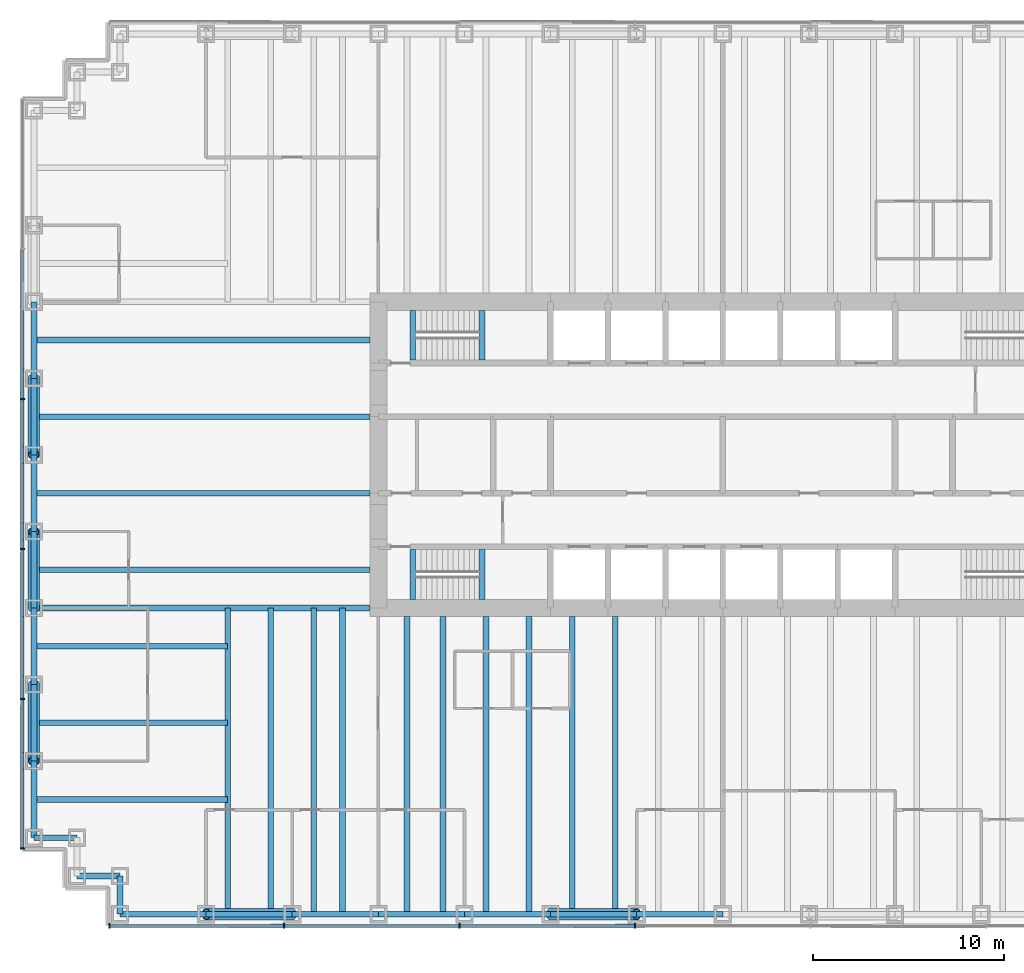
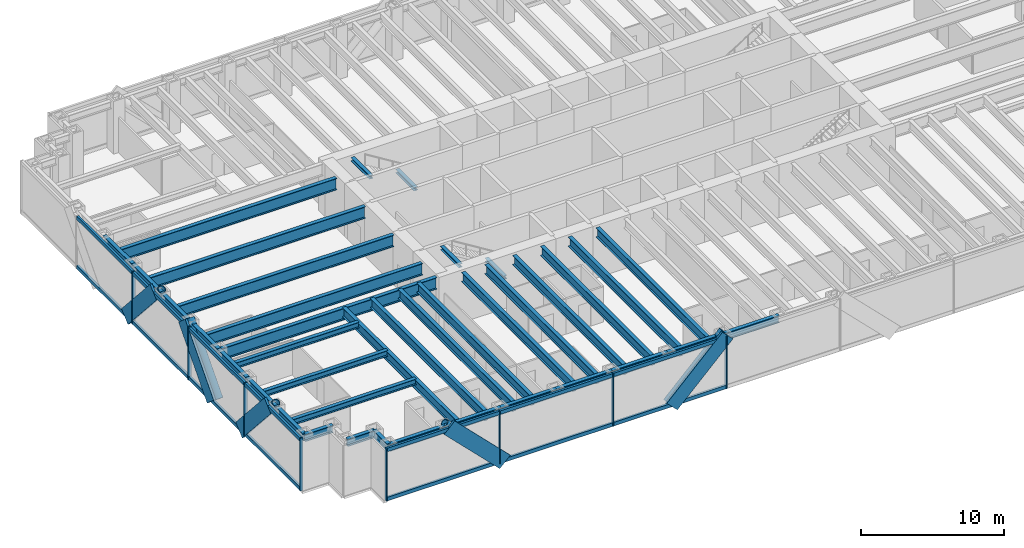
# One storey, part 2 of 13: 39 beams, 32 members, 2 elements without a shape of their own.
"""IFC4 building model written with IfcOpenShell, lengths in metres."""

from ifc_helpers import new_model, si_unit, direction, frame, origin, origin_2d, place, context, subcontext, project, spatial, rectangle, hollow_circle, i_section, extrude, material, material_profile, profile_set, type_object, element, aggregate, save


model = new_model("IFC4")

# Units and contexts
model_context = context("Model", 3, precision=1e-05, world=origin(), true_north=direction((0.0, 1.0)))
body_context = subcontext(model_context, "Body", "Model", "MODEL_VIEW")
ifc_project = project(units=[si_unit("LENGTHUNIT", "METRE"), si_unit("AREAUNIT", "SQUARE_METRE"), si_unit("VOLUMEUNIT", "CUBIC_METRE"), si_unit("PLANEANGLEUNIT", "RADIAN"), si_unit("MASSUNIT", "GRAM", prefix="KILO")], contexts=[model_context])

# Site, building, storey
site_placement = place(None, origin())
site = spatial("IfcSite", under=ifc_project, at=site_placement, CompositionType="ELEMENT")
building_placement = place(site_placement, origin())
building = spatial("IfcBuilding", under=site, at=building_placement, Name="Rheinbord Bourse Tower", CompositionType="ELEMENT")
storey_placement = place(building_placement, frame((0.0, 0.0, 54.5)))
storey = spatial("IfcBuildingStorey", under=building, at=storey_placement, Name="L11", CompositionType="ELEMENT", Elevation=54.5)

# Curtain wall, members
ifc_material_1 = material(Name="Dark glass and black aluminium", Category="aluminium")
curtain_wall_type = type_object("IfcCurtainWallType", Name="CW1 DARK GLASS CURTAIN WALL", PredefinedType="USERDEFINED", material=ifc_material_1)
curtain_wall_1_placement = place(storey_placement, origin())
curtain_wall_1 = element("IfcCurtainWall", 1, at=curtain_wall_1_placement, inside=storey, type_object=curtain_wall_type, Name="Curtain wall CW1 S L11", ObjectType="UNITISED CURTAIN WALL", PredefinedType="USERDEFINED")
ifc_material_2 = material(Name="Black anodised aluminium", Category="aluminium")
ifc_material_profile_1 = material_profile(ifc_material_2, rectangle(XDim=0.179931640625, YDim=1.2099609375, at=origin_2d()), Name="CW1 DIAGONAL MULLION 1210x180")
ifc_profile_set_1 = profile_set([ifc_material_profile_1], Name="Black anodised aluminium")
member_type_1 = type_object("IfcMemberType", Name="CW1 BLACK DIAGONAL MULLION", PredefinedType="USERDEFINED", material=ifc_profile_set_1)
member_1_placement = place(storey_placement, frame((13.5, -0.60009765625, 0.0), z_axis=(-0.707106781187, 0.0, 0.707106781187), x_axis=(0.0, -1.0, 0.0)))
member_1 = element("IfcMember", 2, at=member_1_placement, type_object=member_type_1, Name="CW1 diagonal mullion b", ObjectType="DIAGONAL MULLION", PredefinedType="USERDEFINED", context=body_context, shape_type="SweptSolid", body=[
    extrude(rectangle(XDim=0.179931640625, YDim=1.2099609375, at=origin_2d()), origin(), (0.0, 0.0, 1.0), 6.364013671875),
])
member_2_placement = place(storey_placement, frame((27.0, -0.60009765625, 0.0), z_axis=(0.707106781187, 0.0, 0.707106781187), x_axis=(0.0, 1.0, 0.0)))
member_2 = element("IfcMember", 3, at=member_2_placement, type_object=member_type_1, Name="CW1 diagonal mullion d", ObjectType="DIAGONAL MULLION", PredefinedType="USERDEFINED", context=body_context, shape_type="SweptSolid", body=[
    extrude(rectangle(XDim=0.179931640625, YDim=1.2099609375, at=origin_2d()), origin(), (0.0, 0.0, 1.0), 6.364013671875),
])

curtain_wall_2_placement = place(storey_placement, origin())
curtain_wall_2 = element("IfcCurtainWall", 4, at=curtain_wall_2_placement, inside=storey, type_object=curtain_wall_type, Name="Curtain wall CW1 W L11", ObjectType="UNITISED CURTAIN WALL", PredefinedType="USERDEFINED")
member_3_placement = place(storey_placement, frame((-0.60009765625, 28.0, 0.0), z_axis=(0.0, -0.66436383883, 0.747409318684), x_axis=(1.0, 0.0, 0.0)))
member_3 = element("IfcMember", 5, at=member_3_placement, type_object=member_type_1, Name="CW1 diagonal mullion a", ObjectType="DIAGONAL MULLION", PredefinedType="USERDEFINED", context=body_context, shape_type="SweptSolid", body=[
    extrude(rectangle(XDim=0.179931640625, YDim=1.2099609375, at=origin_2d()), origin(), (0.0, 0.0, 1.0), 6.020751953125),
])
member_4_placement = place(storey_placement, frame((-0.60009765625, 16.0, 0.0), z_axis=(0.0, 0.66436383883, 0.747409318684), x_axis=(-1.0, 0.0, 0.0)))
member_4 = element("IfcMember", 6, at=member_4_placement, type_object=member_type_1, Name="CW1 diagonal mullion b", ObjectType="DIAGONAL MULLION", PredefinedType="USERDEFINED", context=body_context, shape_type="SweptSolid", body=[
    extrude(rectangle(XDim=0.179931640625, YDim=1.2099609375, at=origin_2d()), origin(), (0.0, 0.0, 1.0), 6.020751953125),
])
member_5_placement = place(storey_placement, frame((-0.60009765625, 12.0, 0.0), z_axis=(0.0, -0.66436383883, 0.747409318684), x_axis=(1.0, 0.0, 0.0)))
member_5 = element("IfcMember", 7, at=member_5_placement, type_object=member_type_1, Name="CW1 diagonal mullion c", ObjectType="DIAGONAL MULLION", PredefinedType="USERDEFINED", context=body_context, shape_type="SweptSolid", body=[
    extrude(rectangle(XDim=0.179931640625, YDim=1.2099609375, at=origin_2d()), origin(), (0.0, 0.0, 1.0), 6.020751953125),
])

# Member
ifc_material_3 = material(Name="Black anodised aluminium", Category="aluminium")
ifc_material_profile_2 = material_profile(ifc_material_3, rectangle(XDim=0.25, YDim=0.080078125, at=origin_2d()), Name="CW1 MULLION 80x250")
ifc_profile_set_2 = profile_set([ifc_material_profile_2], Name="Black anodised aluminium")
member_type_2 = type_object("IfcMemberType", Name="CW1 BLACK MULLION", PredefinedType="MULLION", material=ifc_profile_set_2)
member_6_placement = place(storey_placement, frame((3.93994140625, -0.60009765625, 0.0), z_axis=(0.0, 0.0, 1.0), x_axis=(0.0, 1.0, 0.0)))
member_6 = element("IfcMember", 8, at=member_6_placement, type_object=member_type_2, Name="CW1 mullion 1", PredefinedType="MULLION", context=body_context, shape_type="SweptSolid", body=[
    extrude(rectangle(XDim=0.25, YDim=0.080078125, at=origin_2d()), origin(), (0.0, 0.0, 1.0), 4.5),
])

member_7_placement = place(storey_placement, frame((13.071533203125, -0.60009765625, 0.0), z_axis=(0.0, 0.0, 1.0), x_axis=(0.0, 1.0, 0.0)))
member_7 = element("IfcMember", 9, at=member_7_placement, type_object=member_type_2, Name="CW1 mullion 2", PredefinedType="MULLION", context=body_context, shape_type="SweptSolid", body=[
    extrude(rectangle(XDim=0.25, YDim=0.080078125, at=origin_2d()), origin(), (0.0, 0.0, 1.0), 4.5),
])

member_8_placement = place(storey_placement, frame((22.242919921875, -0.60009765625, 0.0), z_axis=(0.0, 0.0, 1.0), x_axis=(0.0, 1.0, 0.0)))
member_8 = element("IfcMember", 10, at=member_8_placement, type_object=member_type_2, Name="CW1 mullion 3", PredefinedType="MULLION", context=body_context, shape_type="SweptSolid", body=[
    extrude(rectangle(XDim=0.25, YDim=0.080078125, at=origin_2d()), origin(), (0.0, 0.0, 1.0), 4.5),
])

member_9_placement = place(storey_placement, frame((31.414306640625, -0.60009765625, 0.0), z_axis=(0.0, 0.0, 1.0), x_axis=(0.0, 1.0, 0.0)))
member_9 = element("IfcMember", 11, at=member_9_placement, type_object=member_type_2, Name="CW1 mullion 4", PredefinedType="MULLION", context=body_context, shape_type="SweptSolid", body=[
    extrude(rectangle(XDim=0.25, YDim=0.080078125, at=origin_2d()), origin(), (0.0, 0.0, 1.0), 4.5),
])

member_10_placement = place(storey_placement, frame((-0.60009765625, 26.919921875, 0.0), z_axis=(0.0, 0.0, 1.0), x_axis=(1.0, 0.0, 0.0)))
member_10 = element("IfcMember", 12, at=member_10_placement, type_object=member_type_2, Name="CW1 mullion 3", PredefinedType="MULLION", context=body_context, shape_type="SweptSolid", body=[
    extrude(rectangle(XDim=0.25, YDim=0.080078125, at=origin_2d()), origin(), (0.0, 0.0, 1.0), 4.5),
])

member_11_placement = place(storey_placement, frame((-0.60009765625, 19.080078125, 0.0), z_axis=(0.0, 0.0, 1.0), x_axis=(1.0, 0.0, 0.0)))
member_11 = element("IfcMember", 13, at=member_11_placement, type_object=member_type_2, Name="CW1 mullion 4", PredefinedType="MULLION", context=body_context, shape_type="SweptSolid", body=[
    extrude(rectangle(XDim=0.25, YDim=0.080078125, at=origin_2d()), origin(), (0.0, 0.0, 1.0), 4.5),
])

member_12_placement = place(storey_placement, frame((-0.60009765625, 11.239990234375, 0.0), z_axis=(0.0, 0.0, 1.0), x_axis=(1.0, 0.0, 0.0)))
member_12 = element("IfcMember", 14, at=member_12_placement, type_object=member_type_2, Name="CW1 mullion 5", PredefinedType="MULLION", context=body_context, shape_type="SweptSolid", body=[
    extrude(rectangle(XDim=0.25, YDim=0.080078125, at=origin_2d()), origin(), (0.0, 0.0, 1.0), 4.5),
])

member_13_placement = place(storey_placement, frame((-0.60009765625, 3.43994140625, 0.0), z_axis=(0.0, 0.0, 1.0), x_axis=(1.0, 0.0, 0.0)))
member_13 = element("IfcMember", 15, at=member_13_placement, type_object=member_type_2, Name="CW1 mullion 6", PredefinedType="MULLION", context=body_context, shape_type="SweptSolid", body=[
    extrude(rectangle(XDim=0.25, YDim=0.080078125, at=origin_2d()), origin(), (0.0, 0.0, 1.0), 4.5),
])

ifc_material_4 = material(Name="Black anodised aluminium", Category="aluminium")
ifc_material_profile_3 = material_profile(ifc_material_4, rectangle(XDim=0.179931640625, YDim=0.300048828125, at=origin_2d()), Name="CW1 TRANSOM 300x180")
ifc_profile_set_3 = profile_set([ifc_material_profile_3], Name="Black anodised aluminium")
member_type_3 = type_object("IfcMemberType", Name="CW1 BLACK TRANSOM", PredefinedType="USERDEFINED", material=ifc_profile_set_3)
member_14_placement = place(storey_placement, frame((3.97998046875, -0.60009765625, 0.14990234375), z_axis=(1.0, 0.0, 0.0), x_axis=(0.0, 1.0, 0.0)))
member_14 = element("IfcMember", 16, at=member_14_placement, type_object=member_type_3, Name="CW1 transom 1.1", ObjectType="TRANSOM", PredefinedType="USERDEFINED", context=body_context, shape_type="SweptSolid", body=[
    extrude(rectangle(XDim=0.179931640625, YDim=0.300048828125, at=origin_2d()), origin(), (0.0, 0.0, 1.0), 9.051513671875),
])

member_15_placement = place(storey_placement, frame((3.97998046875, -0.60009765625, 4.35009765625), z_axis=(1.0, 0.0, 0.0), x_axis=(0.0, 1.0, 0.0)))
member_15 = element("IfcMember", 17, at=member_15_placement, type_object=member_type_3, Name="CW1 transom 1.2", ObjectType="TRANSOM", PredefinedType="USERDEFINED", context=body_context, shape_type="SweptSolid", body=[
    extrude(rectangle(XDim=0.179931640625, YDim=0.300048828125, at=origin_2d()), origin(), (0.0, 0.0, 1.0), 9.051513671875),
])

member_16_placement = place(storey_placement, frame((13.111328125, -0.60009765625, 0.14990234375), z_axis=(1.0, 0.0, 0.0), x_axis=(0.0, 1.0, 0.0)))
member_16 = element("IfcMember", 18, at=member_16_placement, type_object=member_type_3, Name="CW1 transom 2.1", ObjectType="TRANSOM", PredefinedType="USERDEFINED", context=body_context, shape_type="SweptSolid", body=[
    extrude(rectangle(XDim=0.179931640625, YDim=0.300048828125, at=origin_2d()), origin(), (0.0, 0.0, 1.0), 9.091552734375),
])

member_17_placement = place(storey_placement, frame((13.111328125, -0.60009765625, 4.35009765625), z_axis=(1.0, 0.0, 0.0), x_axis=(0.0, 1.0, 0.0)))
member_17 = element("IfcMember", 19, at=member_17_placement, type_object=member_type_3, Name="CW1 transom 2.2", ObjectType="TRANSOM", PredefinedType="USERDEFINED", context=body_context, shape_type="SweptSolid", body=[
    extrude(rectangle(XDim=0.179931640625, YDim=0.300048828125, at=origin_2d()), origin(), (0.0, 0.0, 1.0), 9.091552734375),
])

member_18_placement = place(storey_placement, frame((22.282958984375, -0.60009765625, 0.14990234375), z_axis=(1.0, 0.0, 0.0), x_axis=(0.0, 1.0, 0.0)))
member_18 = element("IfcMember", 20, at=member_18_placement, type_object=member_type_3, Name="CW1 transom 3.1", ObjectType="TRANSOM", PredefinedType="USERDEFINED", context=body_context, shape_type="SweptSolid", body=[
    extrude(rectangle(XDim=0.179931640625, YDim=0.300048828125, at=origin_2d()), origin(), (0.0, 0.0, 1.0), 9.09130859375),
])

member_19_placement = place(storey_placement, frame((22.282958984375, -0.60009765625, 4.35009765625), z_axis=(1.0, 0.0, 0.0), x_axis=(0.0, 1.0, 0.0)))
member_19 = element("IfcMember", 21, at=member_19_placement, type_object=member_type_3, Name="CW1 transom 3.2", ObjectType="TRANSOM", PredefinedType="USERDEFINED", context=body_context, shape_type="SweptSolid", body=[
    extrude(rectangle(XDim=0.179931640625, YDim=0.300048828125, at=origin_2d()), origin(), (0.0, 0.0, 1.0), 9.09130859375),
])

aggregate(curtain_wall_1, [member_6, member_7, member_8, member_9, member_14, member_15, member_16, member_17, member_18, member_19, member_1, member_2])

member_20_placement = place(storey_placement, frame((-0.60009765625, 34.719970703125, 0.14990234375), z_axis=(0.0, -1.0, 0.0), x_axis=(1.0, 0.0, 0.0)))
member_20 = element("IfcMember", 22, at=member_20_placement, type_object=member_type_3, Name="CW1 transom 2.1", ObjectType="TRANSOM", PredefinedType="USERDEFINED", context=body_context, shape_type="SweptSolid", body=[
    extrude(rectangle(XDim=0.179931640625, YDim=0.300048828125, at=origin_2d()), origin(), (0.0, 0.0, 1.0), 7.760009765625),
])

member_21_placement = place(storey_placement, frame((-0.60009765625, 34.719970703125, 4.35009765625), z_axis=(0.0, -1.0, 0.0), x_axis=(1.0, 0.0, 0.0)))
member_21 = element("IfcMember", 23, at=member_21_placement, type_object=member_type_3, Name="CW1 transom 2.2", ObjectType="TRANSOM", PredefinedType="USERDEFINED", context=body_context, shape_type="SweptSolid", body=[
    extrude(rectangle(XDim=0.179931640625, YDim=0.300048828125, at=origin_2d()), origin(), (0.0, 0.0, 1.0), 7.760009765625),
])

member_22_placement = place(storey_placement, frame((-0.60009765625, 26.8798828125, 0.14990234375), z_axis=(0.0, -1.0, 0.0), x_axis=(1.0, 0.0, 0.0)))
member_22 = element("IfcMember", 24, at=member_22_placement, type_object=member_type_3, Name="CW1 transom 3.1", ObjectType="TRANSOM", PredefinedType="USERDEFINED", context=body_context, shape_type="SweptSolid", body=[
    extrude(rectangle(XDim=0.179931640625, YDim=0.300048828125, at=origin_2d()), origin(), (0.0, 0.0, 1.0), 7.759765625),
])

member_23_placement = place(storey_placement, frame((-0.60009765625, 26.8798828125, 4.35009765625), z_axis=(0.0, -1.0, 0.0), x_axis=(1.0, 0.0, 0.0)))
member_23 = element("IfcMember", 25, at=member_23_placement, type_object=member_type_3, Name="CW1 transom 3.2", ObjectType="TRANSOM", PredefinedType="USERDEFINED", context=body_context, shape_type="SweptSolid", body=[
    extrude(rectangle(XDim=0.179931640625, YDim=0.300048828125, at=origin_2d()), origin(), (0.0, 0.0, 1.0), 7.759765625),
])

member_24_placement = place(storey_placement, frame((-0.60009765625, 19.0400390625, 0.14990234375), z_axis=(0.0, -1.0, 0.0), x_axis=(1.0, 0.0, 0.0)))
member_24 = element("IfcMember", 26, at=member_24_placement, type_object=member_type_3, Name="CW1 transom 4.1", ObjectType="TRANSOM", PredefinedType="USERDEFINED", context=body_context, shape_type="SweptSolid", body=[
    extrude(rectangle(XDim=0.179931640625, YDim=0.300048828125, at=origin_2d()), origin(), (0.0, 0.0, 1.0), 7.760009765625),
])

member_25_placement = place(storey_placement, frame((-0.60009765625, 19.0400390625, 4.35009765625), z_axis=(0.0, -1.0, 0.0), x_axis=(1.0, 0.0, 0.0)))
member_25 = element("IfcMember", 27, at=member_25_placement, type_object=member_type_3, Name="CW1 transom 4.2", ObjectType="TRANSOM", PredefinedType="USERDEFINED", context=body_context, shape_type="SweptSolid", body=[
    extrude(rectangle(XDim=0.179931640625, YDim=0.300048828125, at=origin_2d()), origin(), (0.0, 0.0, 1.0), 7.760009765625),
])

member_26_placement = place(storey_placement, frame((-0.60009765625, 11.199951171875, 0.14990234375), z_axis=(0.0, -1.0, 0.0), x_axis=(1.0, 0.0, 0.0)))
member_26 = element("IfcMember", 28, at=member_26_placement, type_object=member_type_3, Name="CW1 transom 5.1", ObjectType="TRANSOM", PredefinedType="USERDEFINED", context=body_context, shape_type="SweptSolid", body=[
    extrude(rectangle(XDim=0.179931640625, YDim=0.300048828125, at=origin_2d()), origin(), (0.0, 0.0, 1.0), 7.719970703125),
])

member_27_placement = place(storey_placement, frame((-0.60009765625, 11.199951171875, 4.35009765625), z_axis=(0.0, -1.0, 0.0), x_axis=(1.0, 0.0, 0.0)))
member_27 = element("IfcMember", 29, at=member_27_placement, type_object=member_type_3, Name="CW1 transom 5.2", ObjectType="TRANSOM", PredefinedType="USERDEFINED", context=body_context, shape_type="SweptSolid", body=[
    extrude(rectangle(XDim=0.179931640625, YDim=0.300048828125, at=origin_2d()), origin(), (0.0, 0.0, 1.0), 7.719970703125),
])

aggregate(curtain_wall_2, [member_10, member_11, member_12, member_13, member_20, member_21, member_22, member_23, member_24, member_25, member_26, member_27, member_3, member_4, member_5])

# Beams
ifc_material_5 = material(Name="Steel S460", Category="steel")
ifc_material_profile_4 = material_profile(ifc_material_5, i_section(OverallWidth=0.302001953125, OverallDepth=1.008056640625, WebThickness=0.02099609375, FlangeThickness=0.0400390625, at=origin_2d()), Name="HEM 1000")
ifc_profile_set_4 = profile_set([ifc_material_profile_4], Name="Steel S460")
beam_type_1 = type_object("IfcBeamType", Name="END BEAM HEM 1000", PredefinedType="BEAM", material=ifc_profile_set_4)
for number, where, z_axis, x_axis, name in (
    (30, (0.0, 18.0, 3.81591796875), (1.0, 0.0, 0.0), (0.0, 1.0, 0.0), "End beam west 18 L12"),
    (31, (0.0, 22.0, 3.81591796875), (1.0, 0.0, 0.0), (0.0, 1.0, 0.0), "End beam west 22 L12"),
    (32, (0.0, 26.0, 3.81591796875), (1.0, 0.0, 0.0), (0.0, 1.0, 0.0), "End beam west 26 L12"),
    (33, (0.0, 30.0, 3.81591796875), (1.0, 0.0, 0.0), (0.0, 1.0, 0.0), "End beam west 30 L12"),
):
    element("IfcBeam", number, at=place(storey_placement, frame(where, z_axis=z_axis, x_axis=x_axis)), inside=storey, type_object=beam_type_1, Name=name, PredefinedType="BEAM", context=body_context, shape_type="SweptSolid", body=[
        extrude(i_section(OverallWidth=0.302001953125, OverallDepth=1.008056640625, WebThickness=0.02099609375, FlangeThickness=0.0400390625, at=origin_2d()), origin(), (0.0, 0.0, 1.0), 17.550048828125),
    ])
ifc_material_6 = material(Name="Steel S460", Category="steel")
ifc_material_profile_5 = material_profile(ifc_material_6, i_section(OverallWidth=0.300048828125, OverallDepth=0.800048828125, WebThickness=0.017578125, FlangeThickness=0.032958984375, at=origin_2d()), Name="HEB 800")
ifc_profile_set_5 = profile_set([ifc_material_profile_5], Name="Steel S460")
beam_type_2 = type_object("IfcBeamType", Name="FLOOR BEAM HEB 800", PredefinedType="BEAM", material=ifc_profile_set_5)
for number, where, z_axis, x_axis, name in (
    (34, (10.125, 0.0, 3.919921875), (0.0, 1.0, 0.0), (-1.0, 0.0, 0.0), "Floor beam S-9a L12"),
    (35, (12.375, 0.0, 3.919921875), (0.0, 1.0, 0.0), (-1.0, 0.0, 0.0), "Floor beam S-9b L12"),
    (36, (14.625, 0.0, 3.919921875), (0.0, 1.0, 0.0), (-1.0, 0.0, 0.0), "Floor beam S-13.5a L12"),
    (37, (16.125, 0.0, 3.919921875), (0.0, 1.0, 0.0), (-1.0, 0.0, 0.0), "Floor beam S-13.5b L12"),
):
    element("IfcBeam", number, at=place(storey_placement, frame(where, z_axis=z_axis, x_axis=x_axis)), inside=storey, type_object=beam_type_2, Name=name, PredefinedType="BEAM", context=body_context, shape_type="SweptSolid", body=[
        extrude(i_section(OverallWidth=0.300048828125, OverallDepth=0.800048828125, WebThickness=0.017578125, FlangeThickness=0.032958984375, at=origin_2d()), origin(), (0.0, 0.0, 1.0), 16.0),
    ])
for number, where, z_axis, x_axis, name in (
    (38, (19.5, 0.0, 3.919921875), (0.0, 1.0, 0.0), (-1.0, 0.0, 0.0), "Floor beam S-18a L12"),
    (39, (21.375, 0.0, 3.919921875), (0.0, 1.0, 0.0), (-1.0, 0.0, 0.0), "Floor beam S-18b L12"),
    (40, (23.625, 0.0, 3.919921875), (0.0, 1.0, 0.0), (-1.0, 0.0, 0.0), "Floor beam S-22.5a L12"),
    (41, (25.875, 0.0, 3.919921875), (0.0, 1.0, 0.0), (-1.0, 0.0, 0.0), "Floor beam S-22.5b L12"),
    (42, (28.125, 0.0, 3.919921875), (0.0, 1.0, 0.0), (-1.0, 0.0, 0.0), "Floor beam S-27a L12"),
    (43, (30.375, 0.0, 3.919921875), (0.0, 1.0, 0.0), (-1.0, 0.0, 0.0), "Floor beam S-27b L12"),
):
    element("IfcBeam", number, at=place(storey_placement, frame(where, z_axis=z_axis, x_axis=x_axis)), inside=storey, type_object=beam_type_2, Name=name, PredefinedType="BEAM", context=body_context, shape_type="SweptSolid", body=[
        extrude(i_section(OverallWidth=0.300048828125, OverallDepth=0.800048828125, WebThickness=0.017578125, FlangeThickness=0.032958984375, at=origin_2d()), origin(), (0.0, 0.0, 1.0), 15.550048828125),
    ])
ifc_material_7 = material(Name="Steel S460", Category="steel")
ifc_material_profile_6 = material_profile(ifc_material_7, i_section(OverallWidth=0.302001953125, OverallDepth=1.008056640625, WebThickness=0.02099609375, FlangeThickness=0.0400390625, at=origin_2d()), Name="HEM 1000")
ifc_profile_set_6 = profile_set([ifc_material_profile_6], Name="Steel S460")
beam_type_3 = type_object("IfcBeamType", Name="GIRDER HEM 1000", PredefinedType="BEAM", material=ifc_profile_set_6)
beam_1_placement = place(storey_placement, frame((0.0, 16.0, 3.81591796875), z_axis=(1.0, 0.0, 0.0), x_axis=(0.0, 1.0, 0.0)))
element("IfcBeam", 44, at=beam_1_placement, inside=storey, type_object=beam_type_3, Name="Girder west 16 L12", PredefinedType="BEAM", context=body_context, shape_type="SweptSolid", body=[
    extrude(i_section(OverallWidth=0.302001953125, OverallDepth=1.008056640625, WebThickness=0.02099609375, FlangeThickness=0.0400390625, at=origin_2d()), origin(), (0.0, 0.0, 1.0), 17.550048828125),
])
ifc_material_8 = material(Name="Steel S460", Category="steel")
ifc_material_profile_7 = material_profile(ifc_material_8, i_section(OverallWidth=0.300048828125, OverallDepth=0.300048828125, WebThickness=0.010986328125, FlangeThickness=0.01904296875, at=origin_2d()), Name="HEB 300")
ifc_profile_set_7 = profile_set([ifc_material_profile_7], Name="Steel S460")
beam_type_4 = type_object("IfcBeamType", Name="LANDING TRIMMER HEB 300", PredefinedType="BEAM", material=ifc_profile_set_7)
for number, where, z_axis, x_axis, name in (
    (45, (23.409912109375, 16.449951171875, 1.89990234375), (0.0, 1.0, 0.0), (-1.0, 0.0, 0.0), "Landing trimmer ST1 L11"),
    (46, (19.800048828125, 16.449951171875, 4.169921875), (0.0, 1.0, 0.0), (-1.0, 0.0, 0.0), "Well trimmer ST1 under L12"),
    (47, (23.409912109375, 28.949951171875, 1.89990234375), (0.0, 1.0, 0.0), (-1.0, 0.0, 0.0), "Landing trimmer ST2 L11"),
    (48, (19.800048828125, 28.949951171875, 4.169921875), (0.0, 1.0, 0.0), (-1.0, 0.0, 0.0), "Well trimmer ST2 under L12"),
):
    element("IfcBeam", number, at=place(storey_placement, frame(where, z_axis=z_axis, x_axis=x_axis)), inside=storey, type_object=beam_type_4, Name=name, PredefinedType="BEAM", context=body_context, shape_type="SweptSolid", body=[
        extrude(i_section(OverallWidth=0.300048828125, OverallDepth=0.300048828125, WebThickness=0.010986328125, FlangeThickness=0.01904296875, at=origin_2d()), origin(), (0.0, 0.0, 1.0), 2.60009765625),
    ])

# Members
ifc_material_9 = material(Name="Steel S460", Category="steel")
ifc_material_profile_8 = material_profile(ifc_material_9, hollow_circle(Radius=0.304931640625, WallThickness=0.050048828125, at=origin_2d()), Name="CHS 610x50")
ifc_profile_set_8 = profile_set([ifc_material_profile_8], Name="Steel S460")
member_type_4 = type_object("IfcMemberType", Name="MEGABRACE CHS 610x50", PredefinedType="BRACE", material=ifc_profile_set_8)
for number, where, z_axis, x_axis, name in (
    (49, (13.5, 0.0, 0.0), (-0.707106781187, 0.0, 0.707106781187), (0.0, -1.0, 0.0), "Megabrace S face line b L11"),
    (50, (27.0, 0.0, 0.0), (0.707106781187, 0.0, 0.707106781187), (0.0, 1.0, 0.0), "Megabrace S face line d L11"),
):
    element("IfcMember", number, at=place(storey_placement, frame(where, z_axis=z_axis, x_axis=x_axis)), inside=storey, type_object=member_type_4, Name=name, PredefinedType="BRACE", context=body_context, shape_type="SweptSolid", body=[
        extrude(hollow_circle(Radius=0.304931640625, WallThickness=0.050048828125, at=origin_2d()), origin(), (0.0, 0.0, 1.0), 6.364013671875),
    ])
for number, where, z_axis, x_axis, name in (
    (51, (0.0, 28.0, 0.0), (0.0, -0.66436383883, 0.747409318684), (1.0, 0.0, 0.0), "Megabrace W face line a L11"),
    (52, (0.0, 16.0, 0.0), (0.0, 0.66436383883, 0.747409318684), (-1.0, 0.0, 0.0), "Megabrace W face line b L11"),
    (53, (0.0, 12.0, 0.0), (0.0, -0.66436383883, 0.747409318684), (1.0, 0.0, 0.0), "Megabrace W face line c L11"),
):
    element("IfcMember", number, at=place(storey_placement, frame(where, z_axis=z_axis, x_axis=x_axis)), inside=storey, type_object=member_type_4, Name=name, PredefinedType="BRACE", context=body_context, shape_type="SweptSolid", body=[
        extrude(hollow_circle(Radius=0.304931640625, WallThickness=0.050048828125, at=origin_2d()), origin(), (0.0, 0.0, 1.0), 6.020751953125),
    ])

# Beams
ifc_material_10 = material(Name="Steel S460", Category="steel")
ifc_material_profile_9 = material_profile(ifc_material_10, i_section(OverallWidth=0.304931640625, OverallDepth=0.6201171875, WebThickness=0.02099609375, FlangeThickness=0.0400390625, at=origin_2d()), Name="HEM 600")
ifc_profile_set_9 = profile_set([ifc_material_profile_9], Name="Steel S460")
beam_type_5 = type_object("IfcBeamType", Name="SPANDREL HEM 600", PredefinedType="SPANDREL", material=ifc_profile_set_9)
for number, where, z_axis, x_axis, name in (
    (54, (4.5, 0.0, 4.010009765625), (1.0, 0.0, 0.0), (0.0, 1.0, 0.0), "Spandrel SW-E-S-9 under L12"),
    (55, (9.0, 0.0, 4.010009765625), (1.0, 0.0, 0.0), (0.0, 1.0, 0.0), "Spandrel S-9-S-13.5 under L12"),
    (56, (13.5, 0.0, 4.010009765625), (1.0, 0.0, 0.0), (0.0, 1.0, 0.0), "Spandrel S-13.5-S-18 under L12"),
    (57, (18.0, 0.0, 4.010009765625), (1.0, 0.0, 0.0), (0.0, 1.0, 0.0), "Spandrel S-18-S-22.5 under L12"),
    (58, (22.5, 0.0, 4.010009765625), (1.0, 0.0, 0.0), (0.0, 1.0, 0.0), "Spandrel S-22.5-S-27 under L12"),
    (59, (27.0, 0.0, 4.010009765625), (1.0, 0.0, 0.0), (0.0, 1.0, 0.0), "Spandrel S-27-S-31.5 under L12"),
    (60, (31.5, 0.0, 4.010009765625), (1.0, 0.0, 0.0), (0.0, 1.0, 0.0), "Spandrel S-31.5-S-36 under L12"),
):
    element("IfcBeam", number, at=place(storey_placement, frame(where, z_axis=z_axis, x_axis=x_axis)), inside=storey, type_object=beam_type_5, Name=name, PredefinedType="SPANDREL", context=body_context, shape_type="SweptSolid", body=[
        extrude(i_section(OverallWidth=0.304931640625, OverallDepth=0.6201171875, WebThickness=0.02099609375, FlangeThickness=0.0400390625, at=origin_2d()), origin(), (0.0, 0.0, 1.0), 4.5),
    ])
for number, where, z_axis, x_axis, name in (
    (61, (0.0, 32.0, 4.010009765625), (0.0, -1.0, 0.0), (1.0, 0.0, 0.0), "Spandrel W-32-W-28 under L12"),
    (62, (0.0, 28.0, 4.010009765625), (0.0, -1.0, 0.0), (1.0, 0.0, 0.0), "Spandrel W-28-W-24 under L12"),
    (63, (0.0, 24.0, 4.010009765625), (0.0, -1.0, 0.0), (1.0, 0.0, 0.0), "Spandrel W-24-W-20 under L12"),
    (64, (0.0, 20.0, 4.010009765625), (0.0, -1.0, 0.0), (1.0, 0.0, 0.0), "Spandrel W-20-W-16 under L12"),
    (65, (0.0, 16.0, 4.010009765625), (0.0, -1.0, 0.0), (1.0, 0.0, 0.0), "Spandrel W-16-W-12 under L12"),
    (66, (0.0, 12.0, 4.010009765625), (0.0, -1.0, 0.0), (1.0, 0.0, 0.0), "Spandrel W-12-W-8 under L12"),
    (67, (0.0, 8.0, 4.010009765625), (0.0, -1.0, 0.0), (1.0, 0.0, 0.0), "Spandrel W-8-SW-A under L12"),
):
    element("IfcBeam", number, at=place(storey_placement, frame(where, z_axis=z_axis, x_axis=x_axis)), inside=storey, type_object=beam_type_5, Name=name, PredefinedType="SPANDREL", context=body_context, shape_type="SweptSolid", body=[
        extrude(i_section(OverallWidth=0.304931640625, OverallDepth=0.6201171875, WebThickness=0.02099609375, FlangeThickness=0.0400390625, at=origin_2d()), origin(), (0.0, 0.0, 1.0), 4.0),
    ])
for number, where, z_axis, x_axis, name in (
    (68, (0.0, 4.0, 4.010009765625), (1.0, 0.0, 0.0), (0.0, 1.0, 0.0), "Spandrel SW-A-SW-B under L12"),
    (69, (2.25, 2.0, 4.010009765625), (1.0, 0.0, 0.0), (0.0, 1.0, 0.0), "Spandrel SW-C-SW-D under L12"),
):
    element("IfcBeam", number, at=place(storey_placement, frame(where, z_axis=z_axis, x_axis=x_axis)), inside=storey, type_object=beam_type_5, Name=name, PredefinedType="SPANDREL", context=body_context, shape_type="SweptSolid", body=[
        extrude(i_section(OverallWidth=0.304931640625, OverallDepth=0.6201171875, WebThickness=0.02099609375, FlangeThickness=0.0400390625, at=origin_2d()), origin(), (0.0, 0.0, 1.0), 2.25),
    ])
beam_2_placement = place(storey_placement, frame((4.5, 2.0, 4.010009765625), z_axis=(0.0, -1.0, 0.0), x_axis=(1.0, 0.0, 0.0)))
element("IfcBeam", 70, at=beam_2_placement, inside=storey, type_object=beam_type_5, Name="Spandrel SW-D-SW-E under L12", PredefinedType="SPANDREL", context=body_context, shape_type="SweptSolid", body=[
    extrude(i_section(OverallWidth=0.304931640625, OverallDepth=0.6201171875, WebThickness=0.02099609375, FlangeThickness=0.0400390625, at=origin_2d()), origin(), (0.0, 0.0, 1.0), 2.0),
])
ifc_material_11 = material(Name="Steel S460", Category="steel")
ifc_material_profile_10 = material_profile(ifc_material_11, i_section(OverallWidth=0.300048828125, OverallDepth=0.5, WebThickness=0.014404296875, FlangeThickness=0.028076171875, at=origin_2d()), Name="HEB 500")
ifc_profile_set_10 = profile_set([ifc_material_profile_10], Name="Steel S460")
beam_type_6 = type_object("IfcBeamType", Name="TIE BEAM HEB 500", PredefinedType="JOIST", material=ifc_profile_set_10)
for number, where, z_axis, x_axis, name in (
    (71, (0.0, 6.0, 4.070068359375), (1.0, 0.0, 0.0), (0.0, 1.0, 0.0), "Tie west 6 L12"),
    (72, (0.0, 10.0, 4.070068359375), (1.0, 0.0, 0.0), (0.0, 1.0, 0.0), "Tie west 10 L12"),
    (73, (0.0, 14.0, 4.070068359375), (1.0, 0.0, 0.0), (0.0, 1.0, 0.0), "Tie west 14 L12"),
):
    element("IfcBeam", number, at=place(storey_placement, frame(where, z_axis=z_axis, x_axis=x_axis)), inside=storey, type_object=beam_type_6, Name=name, PredefinedType="JOIST", context=body_context, shape_type="SweptSolid", body=[
        extrude(i_section(OverallWidth=0.300048828125, OverallDepth=0.5, WebThickness=0.014404296875, FlangeThickness=0.028076171875, at=origin_2d()), origin(), (0.0, 0.0, 1.0), 10.125),
    ])

save(model, "model.ifc")
